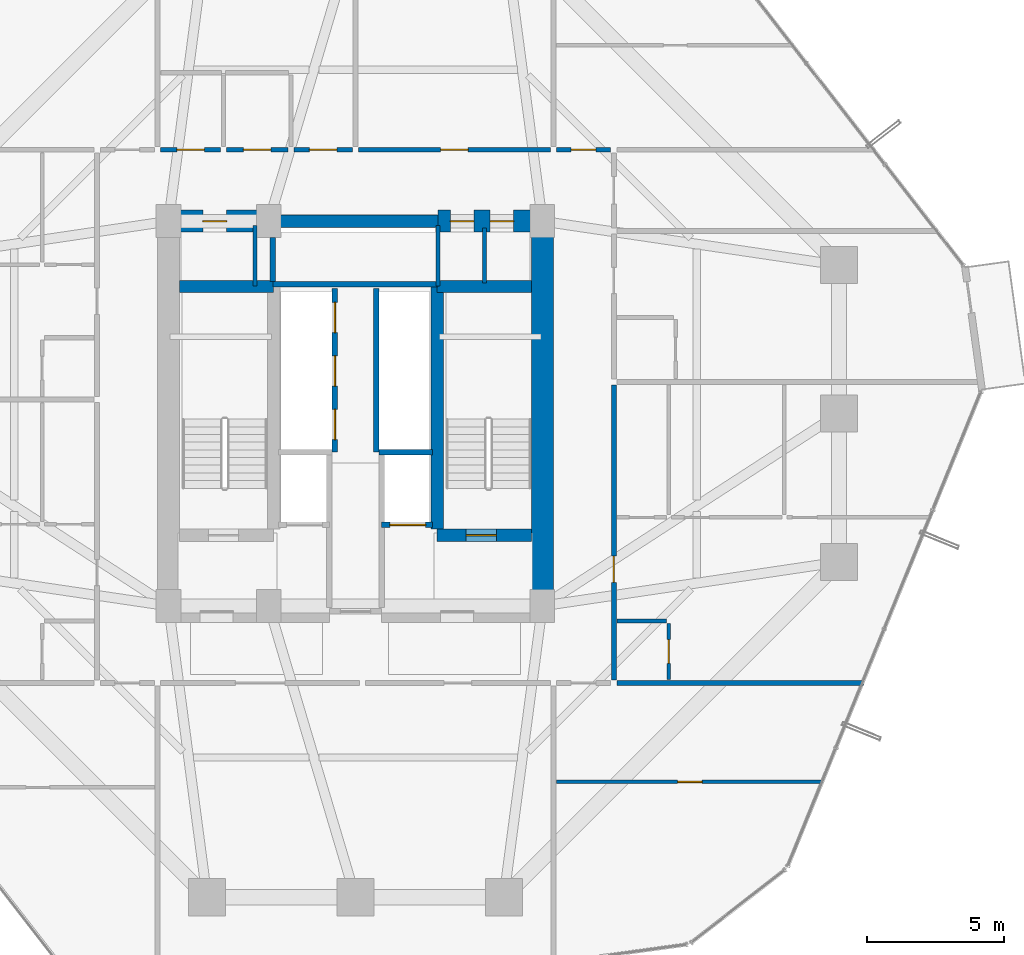
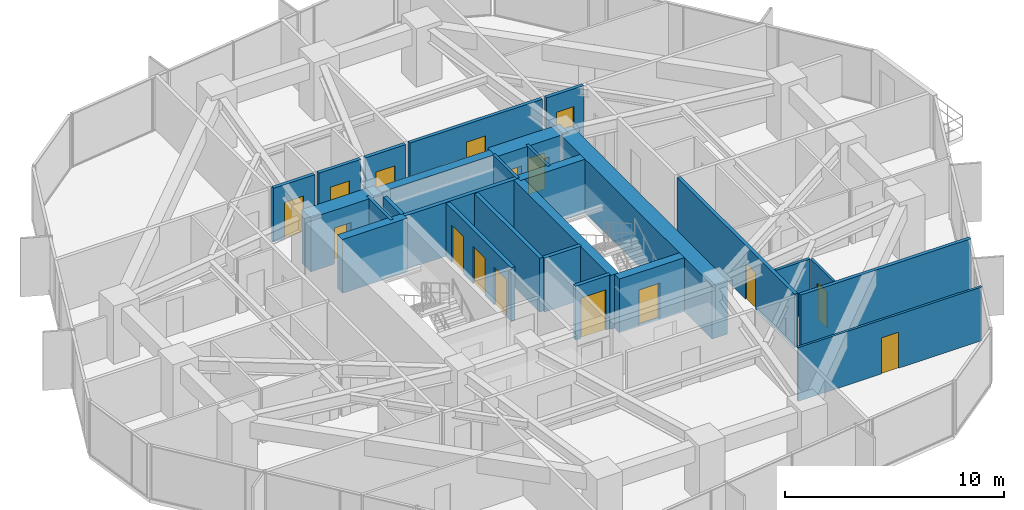
# One storey, part 34 of 37: 27 walls, 16 doors, 16 openings.
"""IFC4 building model written with IfcOpenShell, lengths in metres."""

from ifc_helpers import new_model, si_unit, direction, frame, frame_2d, origin, place, context, subcontext, project, spatial, rectangle, extrude, source, transform, mapped, material, layer, layer_set, type_object, element, fill, save


model = new_model("IFC4")

# Units and contexts
model_context = context("Model", 3, precision=1e-05, world=origin(), true_north=direction((0.0, 1.0)))
body_context = subcontext(model_context, "Body", "Model", "MODEL_VIEW")
ifc_project = project(units=[si_unit("LENGTHUNIT", "METRE"), si_unit("AREAUNIT", "SQUARE_METRE"), si_unit("VOLUMEUNIT", "CUBIC_METRE"), si_unit("PLANEANGLEUNIT", "RADIAN"), si_unit("MASSUNIT", "GRAM", prefix="KILO")], contexts=[model_context])

# Site, building, storey
site_placement = place(None, origin())
site = spatial("IfcSite", under=ifc_project, at=site_placement, CompositionType="ELEMENT")
building_placement = place(site_placement, origin())
building = spatial("IfcBuilding", under=site, at=building_placement, Name="Veraguas Prism Commons", CompositionType="ELEMENT")
storey_placement = place(building_placement, frame((0.0, 0.0, 50.050048828125)))
storey = spatial("IfcBuildingStorey", under=building, at=storey_placement, Name="L13", CompositionType="ELEMENT", Elevation=50.050048828125)

# Wall
ifc_material_1 = material(Name="Concrete C60/75", Category="concrete")
ifc_layer_1 = layer(ifc_material_1, 0.449951171875, Name="Core Internal Shear Wall Lower RC 450", Category="concrete")
ifc_layer_set_1 = layer_set([ifc_layer_1], Name="Concrete C60/75")
wall_type_1 = type_object("IfcWallType", Name="Core Internal Shear Wall Lower RC 450", PredefinedType="SHEAR", material=ifc_layer_set_1)
wall_1_placement = place(storey_placement, frame((21.0, 31.0, 0.0), z_axis=(0.0, 0.0, 1.0), x_axis=(1.0, 0.0, 0.0)))
element("IfcWall", 1, at=wall_1_placement, inside=storey, type_object=wall_type_1, Name="High-Rise Lift Bank Front Shear Wall L13", PredefinedType="SHEAR", context=body_context, shape_type="SweptSolid", body=[
    extrude(rectangle(XDim=6.0, YDim=0.449951171875, at=frame_2d((3.0, 0.0))), origin(), (0.0, 0.0, 1.0), 3.0),
])

# Wall, opening, door
wall_2_placement = place(storey_placement, frame((26.97509765625, 19.574951171875, 0.0), z_axis=(0.0, 0.0, 1.0), x_axis=(1.0, 0.0, 0.0)))
wall_2 = element("IfcWall", 2, at=wall_2_placement, inside=storey, type_object=wall_type_1, Name="Stair ST-02 South Shear Wall L13", PredefinedType="SHEAR", context=body_context, shape_type="SweptSolid", body=[
    extrude(rectangle(XDim=3.4248046875, YDim=0.449951171875, at=frame_2d((1.71240234375, 0.0))), origin(), (0.0, 0.0, 1.0), 3.0),
])
opening_1_placement = place(wall_2_placement, frame((1.050048828125, 0.0, 0.0)))
opening_1 = element("IfcOpeningElement", 3, at=opening_1_placement, cuts=wall_2, Name="Opening DR-05", PredefinedType="OPENING", context=body_context, shape_type="SweptSolid", body=[
    extrude(rectangle(XDim=1.10009765625, YDim=2.030029296875, at=frame_2d((0.550048828125, 1.01513671875))), frame((0.0, 0.23486328125, 0.0), z_axis=(0.0, -1.0, 0.0), x_axis=(1.0, 0.0, 0.0)), (0.0, 0.0, 1.0), 0.469970703125),
])
ifc_material_2 = material(Name="Steel fire-rated door assembly", Category="steel")
door_type_1 = type_object("IfcDoorType", Name="Protected Stair and Refuge Fire Door 1100x2030", OperationType="NOTDEFINED", PredefinedType="DOOR", material=ifc_material_2)
shared_shape_1 = source(origin(), body_context, "Body", "SweptSolid", [
    extrude(rectangle(XDim=1.10009765625, YDim=2.030029296875, at=frame_2d((0.550048828125, 1.01513671875))), frame((0.0, 0.02490234375, 0.0), z_axis=(0.0, -1.0, 0.0), x_axis=(1.0, 0.0, 0.0)), (0.0, 0.0, 1.0), 0.050048828125),
])
door_1_placement = place(opening_1_placement, origin())
door_1 = element("IfcDoor", 4, at=door_1_placement, inside=storey, type_object=door_type_1, Name="Stair ST-02 Enclosure Door L13", OperationType="SINGLE_SWING_RIGHT", OverallHeight=2.030029296875, OverallWidth=1.10009765625, PredefinedType="DOOR", context=body_context, shape_type="MappedRepresentation", body=[
    mapped(shared_shape_1, transform((0.0, 0.0, 0.0), scale=1.0)),
])
fill(opening_1, door_1)

# Walls
wall_3_placement = place(storey_placement, frame((26.97509765625, 19.800048828125, 0.0), z_axis=(0.0, 0.0, 1.0), x_axis=(0.0, 1.0, 0.0)))
element("IfcWall", 5, at=wall_3_placement, inside=storey, type_object=wall_type_1, Name="Stair ST-02 Inner Shear Wall L13", PredefinedType="SHEAR", context=body_context, shape_type="SweptSolid", body=[
    extrude(rectangle(XDim=8.824951171875, YDim=0.449951171875, at=frame_2d((4.41259765625, 0.0))), origin(), (0.0, 0.0, 1.0), 3.0),
])
for number, where, z_axis, x_axis, name in (
    (6, (17.60009765625, 28.625, 0.0), (0.0, 0.0, 1.0), (1.0, 0.0, 0.0), "Stair ST-01 North Shear Wall L13"),
    (7, (26.97509765625, 28.625, 0.0), (0.0, 0.0, 1.0), (1.0, 0.0, 0.0), "Stair ST-02 North Shear Wall L13"),
):
    element("IfcWall", number, at=place(storey_placement, frame(where, z_axis=z_axis, x_axis=x_axis)), inside=storey, type_object=wall_type_1, Name=name, PredefinedType="SHEAR", context=body_context, shape_type="SweptSolid", body=[
        extrude(rectangle(XDim=3.4248046875, YDim=0.449951171875, at=frame_2d((1.71240234375, 0.0))), origin(), (0.0, 0.0, 1.0), 3.0),
    ])
ifc_layer_2 = layer(ifc_material_1, 0.800048828125, Name="Core Outer Shear Wall Lower RC 800", Category="concrete")
ifc_layer_set_2 = layer_set([ifc_layer_2], Name="Concrete C60/75")
wall_type_2 = type_object("IfcWallType", Name="Core Outer Shear Wall Lower RC 800", PredefinedType="SHEAR", material=ifc_layer_set_2)
wall_4_placement = place(storey_placement, frame((30.800048828125, 16.800048828125, 0.0), z_axis=(0.0, 0.0, 1.0), x_axis=(0.0, 1.0, 0.0)))
element("IfcWall", 8, at=wall_4_placement, inside=storey, type_object=wall_type_2, Name="Central Core East Shear Wall L13", PredefinedType="SHEAR", context=body_context, shape_type="SweptSolid", body=[
    extrude(rectangle(XDim=14.199951171875, YDim=0.800048828125, at=frame_2d((7.10009765625, 0.0))), origin(), (0.0, 0.0, 1.0), 3.0),
])

# Wall, opening, door
wall_5_placement = place(storey_placement, frame((17.199951171875, 31.0, 0.0), z_axis=(0.0, 0.0, 1.0), x_axis=(1.0, 0.0, 0.0)))
wall_5 = element("IfcWall", 9, at=wall_5_placement, inside=storey, type_object=wall_type_2, Name="Central Core North-West Shear Wall L13", PredefinedType="SHEAR", context=body_context, shape_type="SweptSolid", body=[
    extrude(rectangle(XDim=3.800048828125, YDim=0.800048828125, at=frame_2d((1.89990234375, 0.0))), origin(), (0.0, 0.0, 1.0), 3.0),
])
opening_2_placement = place(wall_5_placement, frame((1.25, 0.0, 0.0)))
opening_2 = element("IfcOpeningElement", 10, at=opening_2_placement, cuts=wall_5, Name="Opening DR-12", PredefinedType="OPENING", context=body_context, shape_type="SweptSolid", body=[
    extrude(rectangle(XDim=0.860107421875, YDim=2.010009765625, at=frame_2d((0.43017578125, 1.0048828125))), frame((0.0, 0.409912109375, 0.0), z_axis=(0.0, -1.0, 0.0), x_axis=(1.0, 0.0, 0.0)), (0.0, 0.0, 1.0), 0.820068359375),
])
door_type_2 = type_object("IfcDoorType", Name="Core WC Fire Door 860x2010", OperationType="NOTDEFINED", PredefinedType="DOOR", material=ifc_material_2)
shared_shape_2 = source(origin(), body_context, "Body", "SweptSolid", [
    extrude(rectangle(XDim=0.860107421875, YDim=2.010009765625, at=frame_2d((0.43017578125, 1.0048828125))), frame((0.0, 0.02490234375, 0.0), z_axis=(0.0, -1.0, 0.0), x_axis=(1.0, 0.0, 0.0)), (0.0, 0.0, 1.0), 0.050048828125),
])
door_2_placement = place(opening_2_placement, origin())
door_2 = element("IfcDoor", 11, at=door_2_placement, inside=storey, type_object=door_type_2, Name="Core NW Service Door L13", OperationType="SINGLE_SWING_RIGHT", OverallHeight=2.010009765625, OverallWidth=0.860107421875, PredefinedType="DOOR", context=body_context, shape_type="MappedRepresentation", body=[
    mapped(shared_shape_2, transform((0.0, 0.0, 0.0), scale=1.0)),
])
fill(opening_2, door_2)

# Wall, openings, doors
wall_6_placement = place(storey_placement, frame((27.0, 31.0, 0.0), z_axis=(0.0, 0.0, 1.0), x_axis=(1.0, 0.0, 0.0)))
wall_6 = element("IfcWall", 12, at=wall_6_placement, inside=storey, type_object=wall_type_2, Name="Central Core North-East Shear Wall L13", PredefinedType="SHEAR", context=body_context, shape_type="SweptSolid", body=[
    extrude(rectangle(XDim=3.800048828125, YDim=0.800048828125, at=frame_2d((1.89990234375, 0.0))), origin(), (0.0, 0.0, 1.0), 3.0),
])
opening_3_placement = place(wall_6_placement, frame((0.449951171875, 0.0, 0.0)))
opening_3 = element("IfcOpeningElement", 13, at=opening_3_placement, cuts=wall_6, Name="Opening DR-12", PredefinedType="OPENING", context=body_context, shape_type="SweptSolid", body=[
    extrude(rectangle(XDim=0.860107421875, YDim=2.010009765625, at=frame_2d((0.43017578125, 1.0048828125))), frame((0.0, 0.409912109375, 0.0), z_axis=(0.0, -1.0, 0.0), x_axis=(1.0, 0.0, 0.0)), (0.0, 0.0, 1.0), 0.820068359375),
])
opening_4_placement = place(wall_6_placement, frame((1.89990234375, 0.0, 0.0)))
opening_4 = element("IfcOpeningElement", 14, at=opening_4_placement, cuts=wall_6, Name="Opening DR-12", PredefinedType="OPENING", context=body_context, shape_type="SweptSolid", body=[
    extrude(rectangle(XDim=0.860107421875, YDim=2.010009765625, at=frame_2d((0.43017578125, 1.0048828125))), frame((0.0, 0.409912109375, 0.0), z_axis=(0.0, -1.0, 0.0), x_axis=(1.0, 0.0, 0.0)), (0.0, 0.0, 1.0), 0.820068359375),
])
door_3_placement = place(opening_3_placement, origin())
door_3 = element("IfcDoor", 15, at=door_3_placement, inside=storey, type_object=door_type_2, Name="Core NE Room A Door L13", OperationType="SINGLE_SWING_LEFT", OverallHeight=2.010009765625, OverallWidth=0.860107421875, PredefinedType="DOOR", context=body_context, shape_type="MappedRepresentation", body=[
    mapped(shared_shape_2, transform((0.0, 0.0, 0.0), scale=1.0)),
])
fill(opening_3, door_3)
door_4_placement = place(opening_4_placement, origin())
door_4 = element("IfcDoor", 16, at=door_4_placement, inside=storey, type_object=door_type_2, Name="Core NE Room B Door L13", OperationType="SINGLE_SWING_RIGHT", OverallHeight=2.010009765625, OverallWidth=0.860107421875, PredefinedType="DOOR", context=body_context, shape_type="MappedRepresentation", body=[
    mapped(shared_shape_2, transform((0.0, 0.0, 0.0), scale=1.0)),
])
fill(opening_4, door_4)

# Wall, opening, door
ifc_material_3 = material(Name="Autoclaved aerated masonry block 10 MPa", Category="masonry")
ifc_layer_3 = layer(ifc_material_3, 0.179931640625, Name="Corridor and Inter-Tenancy Partition 180", Category="masonry")
ifc_layer_set_3 = layer_set([ifc_layer_3], Name="Autoclaved aerated masonry block 10 MPa")
wall_type_3 = type_object("IfcWallType", Name="Corridor and Inter-Tenancy Partition 180", PredefinedType="PARTITIONING", material=ifc_layer_set_3)
wall_7_placement = place(storey_placement, frame((16.909912109375, 33.60009765625, 0.0), z_axis=(0.0, 0.0, 1.0), x_axis=(1.0, 0.0, 0.0)))
wall_7 = element("IfcWall", 17, at=wall_7_placement, inside=storey, type_object=wall_type_3, Name="WL-L13-PT007", PredefinedType="PARTITIONING", context=body_context, shape_type="SweptSolid", body=[
    extrude(rectangle(XDim=2.18017578125, YDim=0.179931640625, at=frame_2d((1.090087890625, 0.0))), origin(), (0.0, 0.0, 1.0), 3.0),
])
opening_5_placement = place(wall_7_placement, frame((0.590087890625, 0.0, 0.0)))
opening_5 = element("IfcOpeningElement", 18, at=opening_5_placement, cuts=wall_7, Name="Opening DR-13", PredefinedType="OPENING", context=body_context, shape_type="SweptSolid", body=[
    extrude(rectangle(XDim=1.0, YDim=2.010009765625, at=frame_2d((0.5, 1.0048828125))), frame((0.0, 0.099853515625, 0.0), z_axis=(0.0, -1.0, 0.0), x_axis=(1.0, 0.0, 0.0)), (0.0, 0.0, 1.0), 0.199951171875),
])
door_type_3 = type_object("IfcDoorType", Name="Core Accessible WC and Clinic Fire Door 1000x2010", OperationType="NOTDEFINED", PredefinedType="DOOR", material=ifc_material_2)
shared_shape_3 = source(origin(), body_context, "Body", "SweptSolid", [
    extrude(rectangle(XDim=1.0, YDim=2.010009765625, at=frame_2d((0.5, 1.0048828125))), frame((0.0, 0.02490234375, 0.0), z_axis=(0.0, -1.0, 0.0), x_axis=(1.0, 0.0, 0.0)), (0.0, 0.0, 1.0), 0.050048828125),
])
door_5_placement = place(opening_5_placement, origin())
door_5 = element("IfcDoor", 19, at=door_5_placement, inside=storey, type_object=door_type_3, Name="Public WC L13 Door", OperationType="SINGLE_SWING_LEFT", OverallHeight=2.010009765625, OverallWidth=1.0, PredefinedType="DOOR", context=body_context, shape_type="MappedRepresentation", body=[
    mapped(shared_shape_3, transform((0.0, 0.0, 0.0), scale=1.0)),
])
fill(opening_5, door_5)

wall_8_placement = place(storey_placement, frame((19.31005859375, 33.60009765625, 0.0), z_axis=(0.0, 0.0, 1.0), x_axis=(1.0, 0.0, 0.0)))
wall_8 = element("IfcWall", 20, at=wall_8_placement, inside=storey, type_object=wall_type_3, Name="WL-L13-PT008", PredefinedType="PARTITIONING", context=body_context, shape_type="SweptSolid", body=[
    extrude(rectangle(XDim=2.22998046875, YDim=0.179931640625, at=frame_2d((1.114990234375, 0.0))), origin(), (0.0, 0.0, 1.0), 3.0),
])
opening_6_placement = place(wall_8_placement, frame((0.614990234375, 0.0, 0.0)))
opening_6 = element("IfcOpeningElement", 21, at=opening_6_placement, cuts=wall_8, Name="Opening DR-13", PredefinedType="OPENING", context=body_context, shape_type="SweptSolid", body=[
    extrude(rectangle(XDim=1.0, YDim=2.010009765625, at=frame_2d((0.5, 1.0048828125))), frame((0.0, 0.099853515625, 0.0), z_axis=(0.0, -1.0, 0.0), x_axis=(1.0, 0.0, 0.0)), (0.0, 0.0, 1.0), 0.199951171875),
])
door_6_placement = place(opening_6_placement, origin())
door_6 = element("IfcDoor", 22, at=door_6_placement, inside=storey, type_object=door_type_3, Name="Accessible WC L13 Door", OperationType="SINGLE_SWING_RIGHT", OverallHeight=2.010009765625, OverallWidth=1.0, PredefinedType="DOOR", context=body_context, shape_type="MappedRepresentation", body=[
    mapped(shared_shape_3, transform((0.0, 0.0, 0.0), scale=1.0)),
])
fill(opening_6, door_6)

wall_9_placement = place(storey_placement, frame((21.760009765625, 33.60009765625, 0.0), z_axis=(0.0, 0.0, 1.0), x_axis=(1.0, 0.0, 0.0)))
wall_9 = element("IfcWall", 23, at=wall_9_placement, inside=storey, type_object=wall_type_3, Name="WL-L13-PT009", PredefinedType="PARTITIONING", context=body_context, shape_type="SweptSolid", body=[
    extrude(rectangle(XDim=2.1298828125, YDim=0.179931640625, at=frame_2d((1.06494140625, 0.0))), origin(), (0.0, 0.0, 1.0), 3.0),
])
opening_7_placement = place(wall_9_placement, frame((0.56494140625, 0.0, 0.0)))
opening_7 = element("IfcOpeningElement", 24, at=opening_7_placement, cuts=wall_9, Name="Opening DR-13", PredefinedType="OPENING", context=body_context, shape_type="SweptSolid", body=[
    extrude(rectangle(XDim=1.0, YDim=2.010009765625, at=frame_2d((0.5, 1.0048828125))), frame((0.0, 0.099853515625, 0.0), z_axis=(0.0, -1.0, 0.0), x_axis=(1.0, 0.0, 0.0)), (0.0, 0.0, 1.0), 0.199951171875),
])
door_7_placement = place(opening_7_placement, origin())
door_7 = element("IfcDoor", 25, at=door_7_placement, inside=storey, type_object=door_type_3, Name="Quiet Study L13 Door", OperationType="SINGLE_SWING_LEFT", OverallHeight=2.010009765625, OverallWidth=1.0, PredefinedType="DOOR", context=body_context, shape_type="MappedRepresentation", body=[
    mapped(shared_shape_3, transform((0.0, 0.0, 0.0), scale=1.0)),
])
fill(opening_7, door_7)

wall_10_placement = place(storey_placement, frame((24.110107421875, 33.60009765625, 0.0), z_axis=(0.0, 0.0, 1.0), x_axis=(1.0, 0.0, 0.0)))
wall_10 = element("IfcWall", 26, at=wall_10_placement, inside=storey, type_object=wall_type_3, Name="WL-L13-PT010", PredefinedType="PARTITIONING", context=body_context, shape_type="SweptSolid", body=[
    extrude(rectangle(XDim=6.97998046875, YDim=0.179931640625, at=frame_2d((3.489990234375, 0.0))), origin(), (0.0, 0.0, 1.0), 3.0),
])
opening_8_placement = place(wall_10_placement, frame((2.989990234375, 0.0, 0.0)))
opening_8 = element("IfcOpeningElement", 27, at=opening_8_placement, cuts=wall_10, Name="Opening DR-13", PredefinedType="OPENING", context=body_context, shape_type="SweptSolid", body=[
    extrude(rectangle(XDim=1.0, YDim=2.010009765625, at=frame_2d((0.5, 1.0048828125))), frame((0.0, 0.099853515625, 0.0), z_axis=(0.0, -1.0, 0.0), x_axis=(1.0, 0.0, 0.0)), (0.0, 0.0, 1.0), 0.199951171875),
])
door_8_placement = place(opening_8_placement, origin())
door_8 = element("IfcDoor", 28, at=door_8_placement, inside=storey, type_object=door_type_3, Name="Reading Lounge L13 Door", OperationType="SINGLE_SWING_RIGHT", OverallHeight=2.010009765625, OverallWidth=1.0, PredefinedType="DOOR", context=body_context, shape_type="MappedRepresentation", body=[
    mapped(shared_shape_3, transform((0.0, 0.0, 0.0), scale=1.0)),
])
fill(opening_8, door_8)

# Wall
wall_11_placement = place(storey_placement, frame((33.52001953125, 14.199951171875, 0.0), z_axis=(0.0, 0.0, 1.0), x_axis=(1.0, 0.0, 0.0)))
element("IfcWall", 29, at=wall_11_placement, inside=storey, type_object=wall_type_3, Name="WL-L13-PT033", PredefinedType="PARTITIONING", context=body_context, shape_type="SweptSolid", body=[
    extrude(rectangle(XDim=8.96337890625, YDim=0.179931640625, at=frame_2d((4.481689453125, 0.0))), origin(), (0.0, 0.0, 1.0), 3.0),
])

# Wall, opening, door
wall_12_placement = place(storey_placement, frame((33.39990234375, 14.31005859375, 0.0), z_axis=(0.0, 0.0, 1.0), x_axis=(0.0, 1.0, 0.0)))
wall_12 = element("IfcWall", 30, at=wall_12_placement, inside=storey, type_object=wall_type_3, Name="WL-L13-PT035", PredefinedType="PARTITIONING", context=body_context, shape_type="SweptSolid", body=[
    extrude(rectangle(XDim=10.73193359375, YDim=0.179931640625, at=frame_2d((5.365966796875, 0.0))), origin(), (0.0, 0.0, 1.0), 3.0),
])
opening_9_placement = place(wall_12_placement, frame((3.552001953125, 0.0, 0.0)))
opening_9 = element("IfcOpeningElement", 31, at=opening_9_placement, cuts=wall_12, Name="Opening DR-01", PredefinedType="OPENING", context=body_context, shape_type="SweptSolid", body=[
    extrude(rectangle(XDim=0.949951171875, YDim=2.02001953125, at=frame_2d((0.47509765625, 1.010009765625))), frame((0.0, 0.099853515625, 0.0), z_axis=(0.0, -1.0, 0.0), x_axis=(1.0, 0.0, 0.0)), (0.0, 0.0, 1.0), 0.199951171875),
])
ifc_material_4 = material(Name="Anodised aluminium EN AW-6063 T6", Category="aluminium")
door_type_4 = type_object("IfcDoorType", Name="Apartment Entrance Fire Door 950x2020", OperationType="NOTDEFINED", PredefinedType="DOOR", material=ifc_material_4)
shared_shape_4 = source(origin(), body_context, "Body", "SweptSolid", [
    extrude(rectangle(XDim=0.949951171875, YDim=2.02001953125, at=frame_2d((0.47509765625, 1.010009765625))), frame((0.0, 0.02490234375, 0.0), z_axis=(0.0, -1.0, 0.0), x_axis=(1.0, 0.0, 0.0)), (0.0, 0.0, 1.0), 0.050048828125),
])
door_9_placement = place(opening_9_placement, origin())
door_9 = element("IfcDoor", 32, at=door_9_placement, inside=storey, type_object=door_type_4, Name="Flat 13C Entrance Door", OperationType="SINGLE_SWING_RIGHT", OverallHeight=2.02001953125, OverallWidth=0.949951171875, PredefinedType="DOOR", context=body_context, shape_type="MappedRepresentation", body=[
    mapped(shared_shape_4, transform((0.0, 0.0, 0.0), scale=1.0)),
])
fill(opening_9, door_9)

wall_13_placement = place(storey_placement, frame((31.320068359375, 33.60009765625, 0.0), z_axis=(0.0, 0.0, 1.0), x_axis=(1.0, 0.0, 0.0)))
wall_13 = element("IfcWall", 33, at=wall_13_placement, inside=storey, type_object=wall_type_3, Name="WL-L13-PT054", PredefinedType="PARTITIONING", context=body_context, shape_type="SweptSolid", body=[
    extrude(rectangle(XDim=1.9599609375, YDim=0.179931640625, at=frame_2d((0.97998046875, 0.0))), origin(), (0.0, 0.0, 1.0), 3.0),
])
opening_10_placement = place(wall_13_placement, frame((0.530029296875, 0.0, 0.0)))
opening_10 = element("IfcOpeningElement", 34, at=opening_10_placement, cuts=wall_13, Name="Opening DR-14", PredefinedType="OPENING", context=body_context, shape_type="SweptSolid", body=[
    extrude(rectangle(XDim=0.89990234375, YDim=2.010009765625, at=frame_2d((0.449951171875, 1.0048828125))), frame((0.0, 0.099853515625, 0.0), z_axis=(0.0, -1.0, 0.0), x_axis=(1.0, 0.0, 0.0)), (0.0, 0.0, 1.0), 0.199951171875),
])
door_type_5 = type_object("IfcDoorType", Name="Core Service Room Fire Door 900x2010", OperationType="NOTDEFINED", PredefinedType="DOOR", material=ifc_material_2)
shared_shape_5 = source(origin(), body_context, "Body", "SweptSolid", [
    extrude(rectangle(XDim=0.89990234375, YDim=2.010009765625, at=frame_2d((0.449951171875, 1.0048828125))), frame((0.0, 0.02490234375, 0.0), z_axis=(0.0, -1.0, 0.0), x_axis=(1.0, 0.0, 0.0)), (0.0, 0.0, 1.0), 0.050048828125),
])
door_10_placement = place(opening_10_placement, origin())
door_10 = element("IfcDoor", 35, at=door_10_placement, inside=storey, type_object=door_type_5, Name="Community Co-op Kitchen Door", OperationType="SINGLE_SWING_LEFT", OverallHeight=2.010009765625, OverallWidth=0.89990234375, PredefinedType="DOOR", context=body_context, shape_type="MappedRepresentation", body=[
    mapped(shared_shape_5, transform((0.0, 0.0, 0.0), scale=1.0)),
])
fill(opening_10, door_10)

ifc_material_5 = material(Name="Lightweight acoustic gypsum board")
ifc_layer_4 = layer(ifc_material_5, 0.125, Name="Internal Apartment Room Partition 125")
ifc_layer_set_4 = layer_set([ifc_layer_4], Name="Lightweight acoustic gypsum board")
wall_type_4 = type_object("IfcWallType", Name="Internal Apartment Room Partition 125", PredefinedType="PARTITIONING", material=ifc_layer_set_4)
wall_14_placement = place(storey_placement, frame((35.39990234375, 14.320068359375, 0.0), z_axis=(0.0, 0.0, 1.0), x_axis=(0.0, 1.0, 0.0)))
wall_14 = element("IfcWall", 36, at=wall_14_placement, inside=storey, type_object=wall_type_4, Name="WL-L13-PT037", PredefinedType="PARTITIONING", context=body_context, shape_type="SweptSolid", body=[
    extrude(rectangle(XDim=2.050048828125, YDim=0.125, at=frame_2d((1.02490234375, 0.0))), origin(), (0.0, 0.0, 1.0), 3.0),
])
opening_11_placement = place(wall_14_placement, frame((0.594970703125, 0.0, 0.0)))
opening_11 = element("IfcOpeningElement", 37, at=opening_11_placement, cuts=wall_14, Name="Opening DR-03", PredefinedType="OPENING", context=body_context, shape_type="SweptSolid", body=[
    extrude(rectangle(XDim=0.860107421875, YDim=2.010009765625, at=frame_2d((0.43017578125, 1.0048828125))), frame((0.0, 0.072509765625, 0.0), z_axis=(0.0, -1.0, 0.0), x_axis=(1.0, 0.0, 0.0)), (0.0, 0.0, 1.0), 0.14501953125),
])
ifc_material_6 = material(Name="Timber moisture-resistant leaf", Category="wood")
door_type_6 = type_object("IfcDoorType", Name="Internal Bathroom Door 860x2010", OperationType="NOTDEFINED", PredefinedType="DOOR", material=ifc_material_6)
door_11_placement = place(opening_11_placement, origin())
door_11 = element("IfcDoor", 38, at=door_11_placement, inside=storey, type_object=door_type_6, Name="Flat 13C Bathroom Door", OperationType="SINGLE_SWING_LEFT", OverallHeight=2.010009765625, OverallWidth=0.860107421875, PredefinedType="DOOR", context=body_context, shape_type="MappedRepresentation", body=[
    mapped(shared_shape_2, transform((0.0, 0.0, 0.0), scale=1.0)),
])
fill(opening_11, door_11)

wall_15_placement = place(storey_placement, frame((31.320068359375, 10.60009765625, 0.0), z_axis=(0.0, 0.0, 1.0), x_axis=(1.0, 0.0, 0.0)))
wall_15 = element("IfcWall", 39, at=wall_15_placement, inside=storey, type_object=wall_type_4, Name="WL-L13-PT052", PredefinedType="PARTITIONING", context=body_context, shape_type="SweptSolid", body=[
    extrude(rectangle(XDim=9.697021484375, YDim=0.125, at=frame_2d((4.8486328125, 0.0))), origin(), (0.0, 0.0, 1.0), 3.0),
])
opening_12_placement = place(wall_15_placement, frame((4.398681640625, 0.0, 0.0)))
opening_12 = element("IfcOpeningElement", 40, at=opening_12_placement, cuts=wall_15, Name="Opening DR-02", PredefinedType="OPENING", context=body_context, shape_type="SweptSolid", body=[
    extrude(rectangle(XDim=0.89990234375, YDim=2.010009765625, at=frame_2d((0.449951171875, 1.0048828125))), frame((0.0, 0.072509765625, 0.0), z_axis=(0.0, -1.0, 0.0), x_axis=(1.0, 0.0, 0.0)), (0.0, 0.0, 1.0), 0.14501953125),
])
ifc_material_7 = material(Name="Timber solid core hardwood", Category="wood")
door_type_7 = type_object("IfcDoorType", Name="Internal Habitable Room Door 900x2010", OperationType="NOTDEFINED", PredefinedType="DOOR", material=ifc_material_7)
door_12_placement = place(opening_12_placement, origin())
door_12 = element("IfcDoor", 41, at=door_12_placement, inside=storey, type_object=door_type_7, Name="Craft Room SE Door", OperationType="SINGLE_SWING_LEFT", OverallHeight=2.010009765625, OverallWidth=0.89990234375, PredefinedType="DOOR", context=body_context, shape_type="MappedRepresentation", body=[
    mapped(shared_shape_5, transform((0.0, 0.0, 0.0), scale=1.0)),
])
fill(opening_12, door_12)

ifc_layer_5 = layer(ifc_material_3, 0.199951171875, Name="Rated Shaft and Lobby Block Wall 200", Category="masonry")
ifc_layer_set_5 = layer_set([ifc_layer_5], Name="Autoclaved aerated masonry block 10 MPa")
wall_type_5 = type_object("IfcWallType", Name="Rated Shaft and Lobby Block Wall 200", PredefinedType="SOLIDWALL", material=ifc_layer_set_5)
wall_16_placement = place(storey_placement, frame((24.949951171875, 19.949951171875, 0.0), z_axis=(0.0, 0.0, 1.0), x_axis=(1.0, 0.0, 0.0)))
wall_16 = element("IfcWall", 42, at=wall_16_placement, inside=storey, type_object=wall_type_5, Name="Firefighting Lift FFL-2 Front Wall L13", PredefinedType="SOLIDWALL", context=body_context, shape_type="SweptSolid", body=[
    extrude(rectangle(XDim=1.85009765625, YDim=0.199951171875, at=frame_2d((0.925048828125, 0.0))), origin(), (0.0, 0.0, 1.0), 3.0),
])
opening_13_placement = place(wall_16_placement, frame((0.300048828125, 0.0, 0.0)))
opening_13 = element("IfcOpeningElement", 43, at=opening_13_placement, cuts=wall_16, Name="Opening LD-02", PredefinedType="OPENING", context=body_context, shape_type="SweptSolid", body=[
    extrude(rectangle(XDim=1.300048828125, YDim=2.25, at=frame_2d((0.64990234375, 1.125))), frame((0.0, 0.10986328125, 0.0), z_axis=(0.0, -1.0, 0.0), x_axis=(1.0, 0.0, 0.0)), (0.0, 0.0, 1.0), 0.219970703125),
])
ifc_material_8 = material(Name="Stainless steel AISI 316", Category="steel")
door_type_8 = type_object("IfcDoorType", Name="Firefighting Lift Sliding Landing Door 1300x2250", OperationType="NOTDEFINED", PredefinedType="DOOR", material=ifc_material_8)
shared_shape_6 = source(origin(), body_context, "Body", "SweptSolid", [
    extrude(rectangle(XDim=1.300048828125, YDim=2.25, at=frame_2d((0.64990234375, 1.125))), frame((0.0, 0.02490234375, 0.0), z_axis=(0.0, -1.0, 0.0), x_axis=(1.0, 0.0, 0.0)), (0.0, 0.0, 1.0), 0.050048828125),
])
door_13_placement = place(opening_13_placement, origin())
door_13 = element("IfcDoor", 44, at=door_13_placement, inside=storey, type_object=door_type_8, Name="Firefighting Lift FFL-2 Front Wall L13", OperationType="SLIDING_TO_LEFT", OverallHeight=2.25, OverallWidth=1.300048828125, PredefinedType="DOOR", context=body_context, shape_type="MappedRepresentation", body=[
    mapped(shared_shape_6, transform((0.0, 0.0, 0.0), scale=1.0)),
])
fill(opening_13, door_13)

# Walls
wall_17_placement = place(storey_placement, frame((24.85009765625, 22.60009765625, 0.0), z_axis=(0.0, 0.0, 1.0), x_axis=(1.0, 0.0, 0.0)))
element("IfcWall", 45, at=wall_17_placement, inside=storey, type_object=wall_type_5, Name="Firefighting Lift FFL-2 Rear Wall L13", PredefinedType="SOLIDWALL", context=body_context, shape_type="SweptSolid", body=[
    extrude(rectangle(XDim=1.949951171875, YDim=0.199951171875, at=frame_2d((0.97509765625, 0.0))), origin(), (0.0, 0.0, 1.0), 3.0),
])
wall_18_placement = place(storey_placement, frame((21.0, 28.699951171875, 0.0), z_axis=(0.0, 0.0, 1.0), x_axis=(1.0, 0.0, 0.0)))
element("IfcWall", 46, at=wall_18_placement, inside=storey, type_object=wall_type_5, Name="High-Rise Lift Bank Rear Shaft Wall L13", PredefinedType="SOLIDWALL", context=body_context, shape_type="SweptSolid", body=[
    extrude(rectangle(XDim=6.0, YDim=0.199951171875, at=frame_2d((3.0, 0.0))), origin(), (0.0, 0.0, 1.0), 3.0),
])
wall_19_placement = place(storey_placement, frame((21.0, 28.800048828125, 0.0), z_axis=(0.0, 0.0, 1.0), x_axis=(0.0, 1.0, 0.0)))
element("IfcWall", 47, at=wall_19_placement, inside=storey, type_object=wall_type_5, Name="High-Rise Lift Bank West Shaft Wall L13", PredefinedType="SOLIDWALL", context=body_context, shape_type="SweptSolid", body=[
    extrude(rectangle(XDim=1.599853515625, YDim=0.199951171875, at=frame_2d((0.7998046875, 0.0))), origin(), (0.0, 0.0, 1.0), 3.0),
])

# Wall, openings, doors
wall_20_placement = place(storey_placement, frame((23.25, 22.60009765625, 0.0), z_axis=(0.0, 0.0, 1.0), x_axis=(0.0, 1.0, 0.0)))
wall_20 = element("IfcWall", 48, at=wall_20_placement, inside=storey, type_object=wall_type_5, Name="Low-Rise Lift Bank Front Wall L13", PredefinedType="SOLIDWALL", context=body_context, shape_type="SweptSolid", body=[
    extrude(rectangle(XDim=5.949951171875, YDim=0.199951171875, at=frame_2d((2.97509765625, 0.0))), origin(), (0.0, 0.0, 1.0), 3.0),
])
opening_14_placement = place(wall_20_placement, frame((0.449951171875, 0.0, 0.0)))
opening_14 = element("IfcOpeningElement", 49, at=opening_14_placement, cuts=wall_20, Name="Opening LD-01", PredefinedType="OPENING", context=body_context, shape_type="SweptSolid", body=[
    extrude(rectangle(XDim=1.10009765625, YDim=2.080078125, at=frame_2d((0.550048828125, 1.0400390625))), frame((0.0, 0.10986328125, 0.0), z_axis=(0.0, -1.0, 0.0), x_axis=(1.0, 0.0, 0.0)), (0.0, 0.0, 1.0), 0.219970703125),
])
opening_15_placement = place(wall_20_placement, frame((2.39990234375, 0.0, 0.0)))
opening_15 = element("IfcOpeningElement", 50, at=opening_15_placement, cuts=wall_20, Name="Opening LD-01", PredefinedType="OPENING", context=body_context, shape_type="SweptSolid", body=[
    extrude(rectangle(XDim=1.10009765625, YDim=2.080078125, at=frame_2d((0.550048828125, 1.0400390625))), frame((0.0, 0.10986328125, 0.0), z_axis=(0.0, -1.0, 0.0), x_axis=(1.0, 0.0, 0.0)), (0.0, 0.0, 1.0), 0.219970703125),
])
opening_16_placement = place(wall_20_placement, frame((4.35009765625, 0.0, 0.0)))
opening_16 = element("IfcOpeningElement", 51, at=opening_16_placement, cuts=wall_20, Name="Opening LD-01", PredefinedType="OPENING", context=body_context, shape_type="SweptSolid", body=[
    extrude(rectangle(XDim=1.10009765625, YDim=2.080078125, at=frame_2d((0.550048828125, 1.0400390625))), frame((0.0, 0.10986328125, 0.0), z_axis=(0.0, -1.0, 0.0), x_axis=(1.0, 0.0, 0.0)), (0.0, 0.0, 1.0), 0.219970703125),
])
door_type_9 = type_object("IfcDoorType", Name="Passenger Lift Sliding Landing Door 1100x2080", OperationType="NOTDEFINED", PredefinedType="DOOR", material=ifc_material_8)
shared_shape_7 = source(origin(), body_context, "Body", "SweptSolid", [
    extrude(rectangle(XDim=1.10009765625, YDim=2.080078125, at=frame_2d((0.550048828125, 1.0400390625))), frame((0.0, 0.02490234375, 0.0), z_axis=(0.0, -1.0, 0.0), x_axis=(1.0, 0.0, 0.0)), (0.0, 0.0, 1.0), 0.050048828125),
])
door_14_placement = place(opening_14_placement, origin())
door_14 = element("IfcDoor", 52, at=door_14_placement, inside=storey, type_object=door_type_9, Name="Sliding Landing Door PL-L1 L13", OperationType="SLIDING_TO_LEFT", OverallHeight=2.080078125, OverallWidth=1.10009765625, PredefinedType="DOOR", context=body_context, shape_type="MappedRepresentation", body=[
    mapped(shared_shape_7, transform((0.0, 0.0, 0.0), scale=1.0)),
])
fill(opening_14, door_14)
door_15_placement = place(opening_15_placement, origin())
door_15 = element("IfcDoor", 53, at=door_15_placement, inside=storey, type_object=door_type_9, Name="Sliding Landing Door PL-L2 L13", OperationType="SLIDING_TO_LEFT", OverallHeight=2.080078125, OverallWidth=1.10009765625, PredefinedType="DOOR", context=body_context, shape_type="MappedRepresentation", body=[
    mapped(shared_shape_7, transform((0.0, 0.0, 0.0), scale=1.0)),
])
fill(opening_15, door_15)
door_16_placement = place(opening_16_placement, origin())
door_16 = element("IfcDoor", 54, at=door_16_placement, inside=storey, type_object=door_type_9, Name="Sliding Landing Door PL-L3 L13", OperationType="SLIDING_TO_LEFT", OverallHeight=2.080078125, OverallWidth=1.10009765625, PredefinedType="DOOR", context=body_context, shape_type="MappedRepresentation", body=[
    mapped(shared_shape_7, transform((0.0, 0.0, 0.0), scale=1.0)),
])
fill(opening_16, door_16)

# Walls
wall_21_placement = place(storey_placement, frame((24.75, 22.60009765625, 0.0), z_axis=(0.0, 0.0, 1.0), x_axis=(0.0, 1.0, 0.0)))
element("IfcWall", 55, at=wall_21_placement, inside=storey, type_object=wall_type_5, Name="Mid-Rise Lift Bank Front Wall L13", PredefinedType="SOLIDWALL", context=body_context, shape_type="SweptSolid", body=[
    extrude(rectangle(XDim=5.949951171875, YDim=0.199951171875, at=frame_2d((2.97509765625, 0.0))), origin(), (0.0, 0.0, 1.0), 3.0),
])
ifc_layer_6 = layer(ifc_material_5, 0.14990234375, Name="Wet Room and Clinic Acoustic Partition 150")
ifc_layer_set_6 = layer_set([ifc_layer_6], Name="Lightweight acoustic gypsum board")
wall_type_6 = type_object("IfcWallType", Name="Wet Room and Clinic Acoustic Partition 150", PredefinedType="PARTITIONING", material=ifc_layer_set_6)
for number, where, z_axis, x_axis, name in (
    (56, (20.35009765625, 28.64990234375, 0.0), (0.0, 0.0, 1.0), (0.0, 1.0, 0.0), "Core NW Service Inner Wall L13"),
    (57, (27.0, 28.64990234375, 0.0), (0.0, 0.0, 1.0), (0.0, 1.0, 0.0), "Core NE Service Inner Wall L13"),
):
    element("IfcWall", number, at=place(storey_placement, frame(where, z_axis=z_axis, x_axis=x_axis)), inside=storey, type_object=wall_type_6, Name=name, PredefinedType="PARTITIONING", context=body_context, shape_type="SweptSolid", body=[
        extrude(rectangle(XDim=2.2001953125, YDim=0.14990234375, at=frame_2d((1.10009765625, 0.0))), origin(), (0.0, 0.0, 1.0), 3.0),
    ])
wall_22_placement = place(storey_placement, frame((28.699951171875, 28.75, 0.0), z_axis=(0.0, 0.0, 1.0), x_axis=(0.0, 1.0, 0.0)))
element("IfcWall", 58, at=wall_22_placement, inside=storey, type_object=wall_type_6, Name="WL-L13-CSVD1", PredefinedType="PARTITIONING", context=body_context, shape_type="SweptSolid", body=[
    extrude(rectangle(XDim=2.0, YDim=0.14990234375, at=frame_2d((1.0, 0.0))), origin(), (0.0, 0.0, 1.0), 3.0),
])
wall_23_placement = place(storey_placement, frame((33.52001953125, 16.449951171875, 0.0), z_axis=(0.0, 0.0, 1.0), x_axis=(1.0, 0.0, 0.0)))
element("IfcWall", 59, at=wall_23_placement, inside=storey, type_object=wall_type_6, Name="WL-L13-PT036", PredefinedType="PARTITIONING", context=body_context, shape_type="SweptSolid", body=[
    extrude(rectangle(XDim=1.800048828125, YDim=0.14990234375, at=frame_2d((0.89990234375, 0.0))), origin(), (0.0, 0.0, 1.0), 3.0),
])

save(model, "model.ifc")
